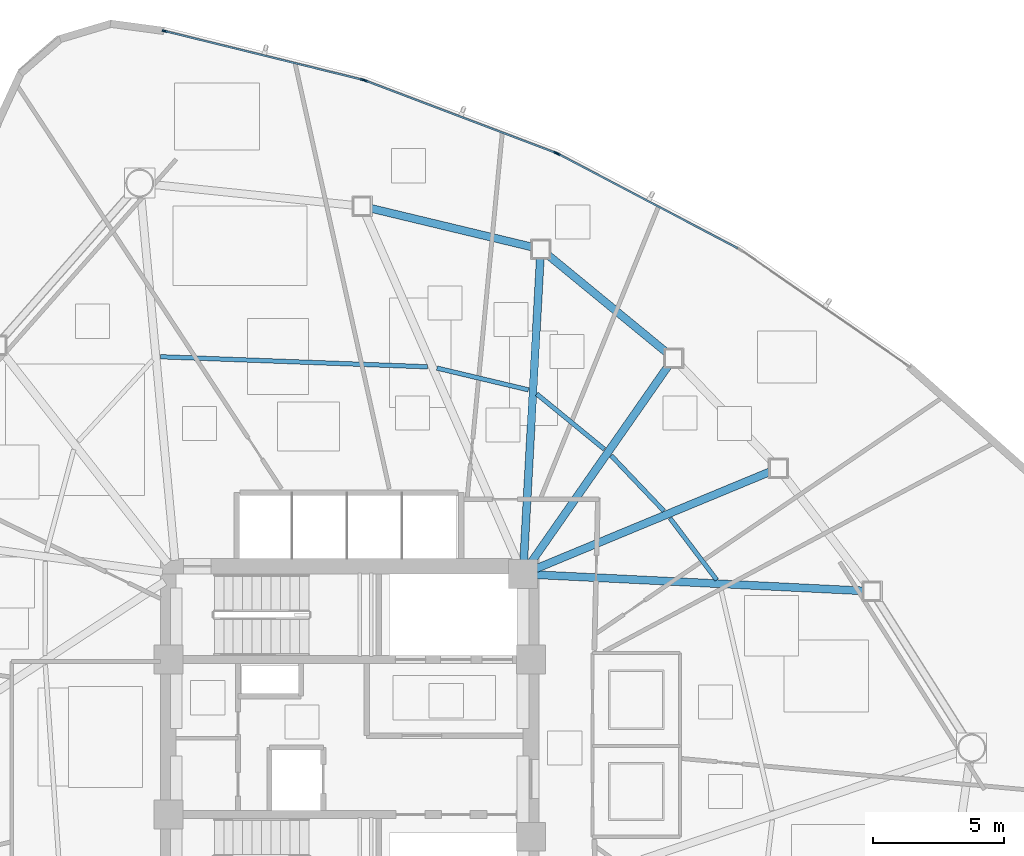
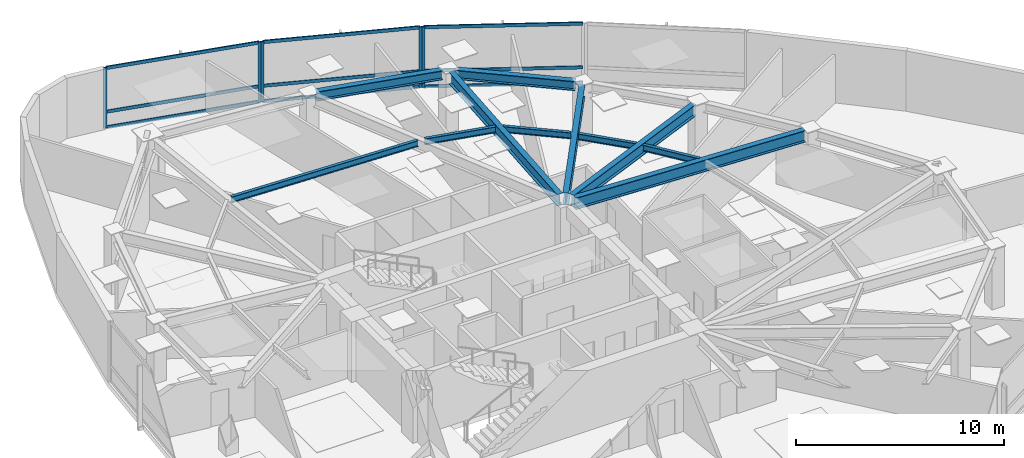
# One storey, part 8 of 17: 14 members, 11 beams, 3 elements without a shape of their own.
"""IFC4 building model written with IfcOpenShell, lengths in metres."""

import ifcopenshell
import ifcopenshell.guid

model = None  # the IFC model being written
_history = None  # IfcOwnerHistory: only IFC2X3 demands one
_inside = {}  # id of a spatial element -> (the spatial element, [elements in it])
_under = {}  # id of a project, library or spatial element -> (it, [spatial elements below it])
_declared = {}  # id of a project -> (the project, [libraries it declares])
_typed = {}  # id of a type object -> (the type object, [elements of that type])
_made_of = {}  # id of a material, layer set ... -> (it, [elements and type objects made of it])


def new_model(schema):
    """Start an empty IFC model of exactly this schema.

    Asked for "IFC4X3", IfcOpenShell would pick the latest addendum, in which some entities
    have other attributes; the version numbers below select the first issue.
    IFC2X3 requires an IfcOwnerHistory on every rooted entity: one is made here for all.
    """
    global model, _history
    if schema == "IFC4X3":
        model = ifcopenshell.file(schema_version=(4, 3, 0, 0))
    else:
        model = ifcopenshell.file(schema=schema)
    _inside.clear()
    _under.clear()
    _declared.clear()
    _typed.clear()
    _made_of.clear()
    _history = None
    if model.schema == "IFC2X3":
        org = make("IfcOrganization", Name="unknown")
        user = make(
            "IfcPersonAndOrganization",
            ThePerson=make("IfcPerson", FamilyName="unknown"),
            TheOrganization=org,
        )
        app = make(
            "IfcApplication",
            ApplicationDeveloper=org,
            Version="unknown",
            ApplicationFullName="unknown",
            ApplicationIdentifier="unknown",
        )
        _history = make(
            "IfcOwnerHistory",
            OwningUser=user,
            OwningApplication=app,
            ChangeAction="ADDED",
            CreationDate=0,
        )
    return model


def make(cls, **values):
    """One entity of the class cls with the attributes given. An attribute that is None is left unset."""
    return model.create_entity(
        cls, **{name: value for name, value in values.items() if value is not None}
    )


def rooted(cls, **values):
    """An entity with a GlobalId (a new one), such as an element, a storey or a relation."""
    return make(cls, GlobalId=ifcopenshell.guid.new(), OwnerHistory=_history, **values)


def si_unit(unit_type, name, prefix=None):
    """IfcSIUnit, for example si_unit("LENGTHUNIT", "METRE", prefix="MILLI")."""
    return make("IfcSIUnit", UnitType=unit_type, Prefix=prefix, Name=name)


def assignment(units):
    """IfcUnitAssignment: the units of a project."""
    return None if units is None else make("IfcUnitAssignment", Units=units)


def point(xyz):
    """IfcCartesianPoint."""
    return None if xyz is None else make("IfcCartesianPoint", Coordinates=xyz)


def direction(xyz):
    """IfcDirection."""
    return None if xyz is None else make("IfcDirection", DirectionRatios=xyz)


def frame(location, z_axis=None, x_axis=None):
    """IfcAxis2Placement3D, a coordinate frame: its origin and axes. An axis left out is left unset."""
    return make(
        "IfcAxis2Placement3D",
        Location=point(location),
        Axis=direction(z_axis),
        RefDirection=direction(x_axis),
    )


def frame_2d(location, x_axis=None):
    """IfcAxis2Placement2D, a coordinate frame in the plane: its origin and x axis."""
    return make(
        "IfcAxis2Placement2D", Location=point(location), RefDirection=direction(x_axis)
    )


def origin():
    """The frame at (0, 0, 0) with its axes left unset."""
    return frame((0.0, 0.0, 0.0))


def origin_2d():
    """The frame at (0, 0) in the plane with its x axis left unset."""
    return frame_2d((0.0, 0.0))


def place(relative_to, where):
    """IfcLocalPlacement: puts the frame where relative to a parent placement (None: the world)."""
    return make(
        "IfcLocalPlacement", PlacementRelTo=relative_to, RelativePlacement=where
    )


def context(
    kind, dimensions, precision=None, world=None, true_north=None, identifier=None
):
    """IfcGeometricRepresentationContext, for example the 3D "Model" context."""
    return make(
        "IfcGeometricRepresentationContext",
        ContextIdentifier=identifier,
        ContextType=kind,
        CoordinateSpaceDimension=dimensions,
        Precision=precision,
        WorldCoordinateSystem=world,
        TrueNorth=true_north,
    )


def subcontext(parent, identifier, kind, view, scale=None):
    """IfcGeometricRepresentationSubContext, for example "Body" below "Model"."""
    return make(
        "IfcGeometricRepresentationSubContext",
        ContextIdentifier=identifier,
        ContextType=kind,
        ParentContext=parent,
        TargetScale=scale,
        TargetView=view,
    )


def project(units=None, contexts=None):
    """IfcProject with its units and contexts."""
    return rooted(
        "IfcProject",
        Name="project",
        RepresentationContexts=contexts,
        UnitsInContext=assignment(units),
    )


def spatial(cls, under=None, at=None, **own):
    """A site, building, storey or space (cls), placed at a placement, below another one or the project."""
    s = rooted(cls, ObjectPlacement=at, **own)
    if under is not None:
        _under.setdefault(under.id(), (under, []))[1].append(s)
    return s


def profile(cls, at=None, kind="AREA", **sizes):
    """A parametric profile (cls). Its sizes go by their IFC names, for example OverallWidth=200.0."""
    return make(cls, ProfileType=kind, Position=at, **sizes)


def hollow_rectangle(**sizes):
    """IfcRectangleHollowProfileDef."""
    return profile("IfcRectangleHollowProfileDef", **sizes)


def i_section(**sizes):
    """IfcIShapeProfileDef."""
    return profile("IfcIShapeProfileDef", **sizes)


def extrude(swept, where, along, depth):
    """IfcExtrudedAreaSolid: the profile swept, set in the frame where, extruded along a direction by depth."""
    return make(
        "IfcExtrudedAreaSolid",
        SweptArea=swept,
        Position=where,
        ExtrudedDirection=direction(along),
        Depth=depth,
    )


def shape(context_of_items, identifier, shape_type, items):
    """IfcShapeRepresentation: the items that make up one representation, for example the "Body"."""
    return make(
        "IfcShapeRepresentation",
        ContextOfItems=context_of_items,
        RepresentationIdentifier=identifier,
        RepresentationType=shape_type,
        Items=items,
    )


def source(mapping_origin, context_of_items, identifier, shape_type, items):
    """IfcRepresentationMap: a shape defined once, which mapped items show again and again."""
    return make(
        "IfcRepresentationMap",
        MappingOrigin=mapping_origin,
        MappedRepresentation=shape(context_of_items, identifier, shape_type, items),
    )


def transform(
    local_origin,
    x_axis=None,
    y_axis=None,
    z_axis=None,
    scale=None,
    scale2=None,
    scale3=None,
    uniform=True,
):
    """IfcCartesianTransformationOperator3D, or its non-uniform kind. x_axis, y_axis, z_axis: its Axis1, 2, 3."""
    if uniform:
        return make(
            "IfcCartesianTransformationOperator3D",
            Axis1=direction(x_axis),
            Axis2=direction(y_axis),
            LocalOrigin=point(local_origin),
            Scale=scale,
            Axis3=direction(z_axis),
        )
    return make(
        "IfcCartesianTransformationOperator3DnonUniform",
        Axis1=direction(x_axis),
        Axis2=direction(y_axis),
        LocalOrigin=point(local_origin),
        Scale=scale,
        Axis3=direction(z_axis),
        Scale2=scale2,
        Scale3=scale3,
    )


def mapped(mapping_source, mapping_target):
    """IfcMappedItem: shows the shape of a source again, moved by a transform."""
    return make(
        "IfcMappedItem", MappingSource=mapping_source, MappingTarget=mapping_target
    )


def material(Name=None, Category=None):
    """IfcMaterial."""
    return make("IfcMaterial", Name=Name, Category=Category)


def layer(
    of_material, thickness, ventilated=None, Name=None, Category=None, Priority=None
):
    """IfcMaterialLayer: one layer of a wall or slab, of a material (None: an air gap)."""
    return make(
        "IfcMaterialLayer",
        Material=of_material,
        LayerThickness=thickness,
        IsVentilated=ventilated,
        Name=Name,
        Category=Category,
        Priority=Priority,
    )


def layer_set(layers, Name=None):
    """IfcMaterialLayerSet."""
    return make("IfcMaterialLayerSet", MaterialLayers=layers, LayerSetName=Name)


def material_profile(
    of_material, cross_section, Name=None, Category=None, Priority=None
):
    """IfcMaterialProfile: a cross section and its material."""
    return make(
        "IfcMaterialProfile",
        Name=Name,
        Material=of_material,
        Profile=cross_section,
        Priority=Priority,
        Category=Category,
    )


def profile_set(profiles, Name=None, composite=None):
    """IfcMaterialProfileSet."""
    return make(
        "IfcMaterialProfileSet",
        Name=Name,
        MaterialProfiles=profiles,
        CompositeProfile=composite,
    )


def made_of(thing, what):
    """Note that an element or type object is made of a material, layer set ...; save() writes the relation."""
    if what is not None:
        _made_of.setdefault(what.id(), (what, []))[1].append(thing)
    return thing


def type_object(cls, material=None, **own):
    """A type object (cls), such as IfcWallType, which elements share."""
    return made_of(rooted(cls, **own), material)


def type_shapes(of_type, sources):
    """Give a type object the sources (RepresentationMaps) that its elements show as mapped items."""
    of_type.RepresentationMaps = sources


def element(
    cls,
    number,
    at=None,
    inside=None,
    cuts=None,
    type_object=None,
    material=None,
    context=None,
    identifier="Body",
    shape_type=None,
    held_by="IfcProductDefinitionShape",
    body=None,
    shapes=None,
    **own,
):
    """One element of the class cls, such as IfcWall. Its Tag is "e" and its number.

    at: its placement. inside: the storey or other place that contains it. cuts: it is an
    opening in that element (IfcRelVoidsElement). A single representation is given by context,
    identifier, shape_type and body (its items); several are given by shapes. held_by: the class
    of the entity that holds the representations. save() writes the other relations.
    """
    e = rooted(cls, Tag="e%d" % number, ObjectPlacement=at, **own)
    if body is not None:
        shapes = [shape(context, identifier, shape_type, body)]
    if shapes is not None:
        e.Representation = make(held_by, Representations=shapes)
    if inside is not None:
        _inside.setdefault(inside.id(), (inside, []))[1].append(e)
    if cuts is not None:
        rooted(
            "IfcRelVoidsElement", RelatingBuildingElement=cuts, RelatedOpeningElement=e
        )
    if type_object is not None:
        _typed.setdefault(type_object.id(), (type_object, []))[1].append(e)
    return made_of(e, material)


def aggregate(whole, parts):
    """IfcRelAggregates: a whole, such as a stair, and the parts it consists of."""
    return rooted("IfcRelAggregates", RelatingObject=whole, RelatedObjects=parts)


def save(model, path):
    """Write the relations noted so far, then the file.

    IfcRelAggregates (storeys below a building ...), IfcRelContainedInSpatialStructure (elements
    in a storey), IfcRelDefinesByType, IfcRelAssociatesMaterial and IfcRelDeclares: one each for
    every whole, place, type object, material and project.
    """
    for whole, parts in _under.values():
        aggregate(whole, parts)
    for where, things in _inside.values():
        rooted(
            "IfcRelContainedInSpatialStructure",
            RelatedElements=things,
            RelatingStructure=where,
        )
    for kind, things in _typed.values():
        rooted("IfcRelDefinesByType", RelatedObjects=things, RelatingType=kind)
    for what, things in _made_of.values():
        rooted("IfcRelAssociatesMaterial", RelatedObjects=things, RelatingMaterial=what)
    for by, libraries in _declared.values():
        rooted("IfcRelDeclares", RelatingContext=by, RelatedDefinitions=libraries)
    model.write(path)


model = new_model("IFC4")

# Units and contexts
model_context = context("Model", 3, precision=1e-05, world=origin(), true_north=direction((0.0, 1.0)))
body_context = subcontext(model_context, "Body", "Model", "MODEL_VIEW")
ifc_project = project(units=[si_unit("LENGTHUNIT", "METRE"), si_unit("AREAUNIT", "SQUARE_METRE"), si_unit("VOLUMEUNIT", "CUBIC_METRE"), si_unit("PLANEANGLEUNIT", "RADIAN"), si_unit("MASSUNIT", "GRAM", prefix="KILO")], contexts=[model_context])

# Site, building, storey
site_placement = place(None, origin())
site = spatial("IfcSite", under=ifc_project, at=site_placement, CompositionType="ELEMENT")
building_placement = place(site_placement, origin())
building = spatial("IfcBuilding", under=site, at=building_placement, Name="Tavelor Broadcast Tower", CompositionType="ELEMENT")
storey_placement = place(building_placement, frame((0.0, 0.0, 154.10009765625)))
storey = spatial("IfcBuildingStorey", under=building, at=storey_placement, Name="L36", CompositionType="ELEMENT", Elevation=154.10009765625)

# Beams
ifc_material_1 = material(Name="Steel S355", Category="steel")
ifc_material_profile_1 = material_profile(ifc_material_1, i_section(OverallWidth=0.169921875, OverallDepth=0.360107421875, WebThickness=0.008056640625, FlangeThickness=0.0126953125, at=origin_2d()), Name="IPE 360")
ifc_profile_set_1 = profile_set([ifc_material_profile_1], Name="Steel S355")
beam_type_1 = type_object("IfcBeamType", Name="Composite Floor Joist T3 IPE 360", PredefinedType="JOIST", material=ifc_profile_set_1)
beam_1_placement = place(storey_placement, frame((63.97509765625, 50.974853515625, 3.369873046875), z_axis=(-0.603343158319, 0.797481682116, 0.0), x_axis=(-0.797481682116, -0.603343158319, 0.0)))
element("IfcBeam", 1, at=beam_1_placement, inside=storey, type_object=beam_type_1, Name="L36 Secondary Composite Floor Joist 14", PredefinedType="JOIST", context=body_context, shape_type="SweptSolid", body=[
    extrude(i_section(OverallWidth=0.169921875, OverallDepth=0.360107421875, WebThickness=0.008056640625, FlangeThickness=0.0126953125, at=origin_2d()), origin(), (0.0, 0.0, 1.0), 2.951416015625),
])
beam_2_placement = place(storey_placement, frame((61.960205078125, 53.60400390625, 3.369873046875), z_axis=(-0.689436692526, 0.724345944283, 0.0), x_axis=(-0.724345944283, -0.689436692526, 0.0)))
element("IfcBeam", 2, at=beam_2_placement, inside=storey, type_object=beam_type_1, Name="L36 Secondary Composite Floor Joist 15", PredefinedType="JOIST", context=body_context, shape_type="SweptSolid", body=[
    extrude(i_section(OverallWidth=0.169921875, OverallDepth=0.360107421875, WebThickness=0.008056640625, FlangeThickness=0.0126953125, at=origin_2d()), origin(), (0.0, 0.0, 1.0), 2.90234375),
])
beam_3_placement = place(storey_placement, frame((59.6943359375, 55.951904296875, 3.369873046875), z_axis=(-0.774130723206, 0.633025768345, 0.0), x_axis=(-0.633025768345, -0.774130723206, 0.0)))
element("IfcBeam", 3, at=beam_3_placement, inside=storey, type_object=beam_type_1, Name="L36 Secondary Composite Floor Joist 16", PredefinedType="JOIST", context=body_context, shape_type="SweptSolid", body=[
    extrude(i_section(OverallWidth=0.169921875, OverallDepth=0.360107421875, WebThickness=0.008056640625, FlangeThickness=0.0126953125, at=origin_2d()), origin(), (0.0, 0.0, 1.0), 3.32373046875),
])
beam_4_placement = place(storey_placement, frame((56.80517578125, 58.21240234375, 3.369873046875), z_axis=(-0.972854549724, 0.231417426056, 0.0), x_axis=(-0.231417426056, -0.972854549724, 0.0)))
element("IfcBeam", 4, at=beam_4_placement, inside=storey, type_object=beam_type_1, Name="L36 Secondary Composite Floor Joist 17", PredefinedType="JOIST", context=body_context, shape_type="SweptSolid", body=[
    extrude(i_section(OverallWidth=0.169921875, OverallDepth=0.360107421875, WebThickness=0.008056640625, FlangeThickness=0.0126953125, at=origin_2d()), origin(), (0.0, 0.0, 1.0), 3.575439453125),
])
beam_5_placement = place(storey_placement, frame((52.969970703125, 59.08837890625, 3.369873046875), z_axis=(-0.999289376722, 0.037692725691, 0.0), x_axis=(-0.037692725691, -0.999289376722, 0.0)))
element("IfcBeam", 5, at=beam_5_placement, inside=storey, type_object=beam_type_1, Name="L36 Secondary Composite Floor Joist 18", PredefinedType="JOIST", context=body_context, shape_type="SweptSolid", body=[
    extrude(i_section(OverallWidth=0.169921875, OverallDepth=0.360107421875, WebThickness=0.008056640625, FlangeThickness=0.0126953125, at=origin_2d()), origin(), (0.0, 0.0, 1.0), 10.169189453125),
])
ifc_material_profile_2 = material_profile(ifc_material_1, i_section(OverallWidth=0.300048828125, OverallDepth=0.550048828125, WebThickness=0.014892578125, FlangeThickness=0.029052734375, at=origin_2d()), Name="HEB 550")
ifc_profile_set_2 = profile_set([ifc_material_profile_2], Name="Steel S355")
beam_type_2 = type_object("IfcBeamType", Name="Perimeter Spandrel Beam T3 HEB 550", PredefinedType="SPANDREL", material=ifc_profile_set_2)
beam_6_placement = place(storey_placement, frame((62.0712890625, 59.62939453125, 3.27490234375), z_axis=(-0.772702936962, 0.634767808896, 0.0), x_axis=(-0.634767808896, -0.772702936962, 0.0)))
element("IfcBeam", 6, at=beam_6_placement, inside=storey, type_object=beam_type_2, Name="L36 Framed-Tube Ring Spandrel 16", PredefinedType="SPANDREL", context=body_context, shape_type="SweptSolid", body=[
    extrude(i_section(OverallWidth=0.300048828125, OverallDepth=0.550048828125, WebThickness=0.014892578125, FlangeThickness=0.029052734375, at=origin_2d()), origin(), (0.0, 0.0, 1.0), 5.869140625),
])
beam_7_placement = place(storey_placement, frame((56.949951171875, 63.64697265625, 3.27490234375), z_axis=(-0.972363823797, 0.233470756565, 0.0), x_axis=(-0.233470756565, -0.972363823797, 0.0)))
element("IfcBeam", 7, at=beam_7_placement, inside=storey, type_object=beam_type_2, Name="L36 Framed-Tube Ring Spandrel 17", PredefinedType="SPANDREL", context=body_context, shape_type="SweptSolid", body=[
    extrude(i_section(OverallWidth=0.300048828125, OverallDepth=0.550048828125, WebThickness=0.014892578125, FlangeThickness=0.029052734375, at=origin_2d()), origin(), (0.0, 0.0, 1.0), 6.325439453125),
])
ifc_material_profile_3 = material_profile(ifc_material_1, i_section(OverallWidth=0.300048828125, OverallDepth=0.68994140625, WebThickness=0.014404296875, FlangeThickness=0.027099609375, at=origin_2d()), Name="HEA 700")
ifc_profile_set_3 = profile_set([ifc_material_profile_3], Name="Steel S355")
beam_type_3 = type_object("IfcBeamType", Name="Radial Floor Girder T3 HEA 700", PredefinedType="BEAM", material=ifc_profile_set_3)
beam_8_placement = place(storey_placement, frame((57.12744140625, 51.174072265625, 3.204833984375), z_axis=(0.998783710906, -0.04930617435, 0.0), x_axis=(0.04930617435, 0.998783710906, 0.0)))
element("IfcBeam", 8, at=beam_8_placement, inside=storey, type_object=beam_type_3, Name="L36 Radial Primary Floor Girder 14", PredefinedType="BEAM", context=body_context, shape_type="SweptSolid", body=[
    extrude(i_section(OverallWidth=0.300048828125, OverallDepth=0.68994140625, WebThickness=0.014404296875, FlangeThickness=0.027099609375, at=origin_2d()), origin(), (0.0, 0.0, 1.0), 12.438232421875),
])
beam_9_placement = place(storey_placement, frame((57.087890625, 51.402099609375, 3.204833984375), z_axis=(0.92381625254, 0.382836168018, 0.0), x_axis=(-0.382836168018, 0.92381625254, 0.0)))
element("IfcBeam", 9, at=beam_9_placement, inside=storey, type_object=beam_type_3, Name="L36 Radial Primary Floor Girder 15", PredefinedType="BEAM", context=body_context, shape_type="SweptSolid", body=[
    extrude(i_section(OverallWidth=0.300048828125, OverallDepth=0.68994140625, WebThickness=0.014404296875, FlangeThickness=0.027099609375, at=origin_2d()), origin(), (0.0, 0.0, 1.0), 9.659423828125),
])
beam_10_placement = place(storey_placement, frame((56.902099609375, 51.633056640625, 3.204833984375), z_axis=(0.572088555537, 0.820191858423, 0.0), x_axis=(-0.820191858423, 0.572088555537, 0.0)))
element("IfcBeam", 10, at=beam_10_placement, inside=storey, type_object=beam_type_3, Name="L36 Radial Primary Floor Girder 16", PredefinedType="BEAM", context=body_context, shape_type="SweptSolid", body=[
    extrude(i_section(OverallWidth=0.300048828125, OverallDepth=0.68994140625, WebThickness=0.014404296875, FlangeThickness=0.027099609375, at=origin_2d()), origin(), (0.0, 0.0, 1.0), 9.1533203125),
])
beam_11_placement = place(storey_placement, frame((56.62890625, 51.727294921875, 3.204833984375), z_axis=(0.054621583664, 0.998507126964, 0.0), x_axis=(-0.998507126964, 0.054621583664, 0.0)))
element("IfcBeam", 11, at=beam_11_placement, inside=storey, type_object=beam_type_3, Name="L36 Radial Primary Floor Girder 17", PredefinedType="BEAM", context=body_context, shape_type="SweptSolid", body=[
    extrude(i_section(OverallWidth=0.300048828125, OverallDepth=0.68994140625, WebThickness=0.014404296875, FlangeThickness=0.027099609375, at=origin_2d()), origin(), (0.0, 0.0, 1.0), 11.522705078125),
])

# Curtain wall, member
ifc_material_2 = material(Name="Architectural Anodized Aluminium", Category="aluminium")
ifc_layer = layer(ifc_material_2, 0.18994140625)
ifc_layer_set = layer_set([ifc_layer], Name="Architectural Anodized Aluminium")
curtain_wall_type = type_object("IfcCurtainWallType", Name="Tower Mid-Zone Acoustic Curtain Wall CW03", PredefinedType="NOTDEFINED", material=ifc_layer_set)
curtain_wall_1_placement = place(storey_placement, origin())
curtain_wall_1 = element("IfcCurtainWall", 12, at=curtain_wall_1_placement, inside=storey, type_object=curtain_wall_type, Name="L36 Curtain Wall CW03 Run 382", PredefinedType="NOTDEFINED")
ifc_material_profile_4 = material_profile(ifc_material_2, hollow_rectangle(XDim=0.068115234375, YDim=0.18994140625, WallThickness=0.02197265625, at=origin_2d()), Name="RHS 68x190x22")
ifc_profile_set_4 = profile_set([ifc_material_profile_4], Name="Architectural Anodized Aluminium")
member_type_1 = type_object("IfcMemberType", Name="CW03 Extruded Aluminium Mullion 68x190", PredefinedType="MULLION", material=ifc_profile_set_4)
shared_shape_1 = source(origin(), body_context, "Body", "SweptSolid", [
    extrude(hollow_rectangle(XDim=0.068115234375, YDim=0.18994140625, WallThickness=0.02197265625, at=origin_2d()), origin(), (0.0, 0.0, 1.0), 3.5498046875),
])
type_shapes(member_type_1, [shared_shape_1])
member_1_placement = place(storey_placement, frame((57.935546875, 67.19287109375, 0.0), z_axis=(0.0, 0.0, 1.0), x_axis=(-0.465220986067, -0.88519457416, 0.0)))
member_1 = element("IfcMember", 13, at=member_1_placement, type_object=member_type_1, Name="CW03 mullion 2", PredefinedType="MULLION", context=body_context, shape_type="MappedRepresentation", body=[
    mapped(shared_shape_1, transform((0.0, 0.0, 0.0), scale=1.0)),
])

# Curtain wall, members
curtain_wall_2_placement = place(storey_placement, origin())
curtain_wall_2 = element("IfcCurtainWall", 14, at=curtain_wall_2_placement, inside=storey, type_object=curtain_wall_type, Name="L36 Curtain Wall CW03 Run 383", PredefinedType="NOTDEFINED")
member_2_placement = place(storey_placement, frame((57.846435546875, 67.233154296875, 0.0), z_axis=(0.0, 0.0, 1.0), x_axis=(-0.35469932739, -0.93498042073, 0.0)))
member_2 = element("IfcMember", 15, at=member_2_placement, type_object=member_type_1, Name="CW03 mullion 1", PredefinedType="MULLION", context=body_context, shape_type="MappedRepresentation", body=[
    mapped(shared_shape_1, transform((0.0, 0.0, 0.0), scale=1.0)),
])
member_3_placement = place(storey_placement, frame((50.596923828125, 69.983154296875, 0.0), z_axis=(0.0, 0.0, 1.0), x_axis=(-0.35469932739, -0.93498042073, 0.0)))
member_3 = element("IfcMember", 16, at=member_3_placement, type_object=member_type_1, Name="CW03 mullion 2", PredefinedType="MULLION", context=body_context, shape_type="MappedRepresentation", body=[
    mapped(shared_shape_1, transform((0.0, 0.0, 0.0), scale=1.0)),
])

curtain_wall_3_placement = place(storey_placement, origin())
curtain_wall_3 = element("IfcCurtainWall", 17, at=curtain_wall_3_placement, inside=storey, type_object=curtain_wall_type, Name="L36 Curtain Wall CW03 Run 384", PredefinedType="NOTDEFINED")
member_4_placement = place(storey_placement, frame((50.503662109375, 70.01220703125, 0.0), z_axis=(0.0, 0.0, 1.0), x_axis=(-0.238931316824, -0.971036469882, 0.0)))
member_4 = element("IfcMember", 18, at=member_4_placement, type_object=member_type_1, Name="CW03 mullion 1", PredefinedType="MULLION", context=body_context, shape_type="MappedRepresentation", body=[
    mapped(shared_shape_1, transform((0.0, 0.0, 0.0), scale=1.0)),
])
member_5_placement = place(storey_placement, frame((42.959228515625, 71.86865234375, 0.0), z_axis=(0.0, 0.0, 1.0), x_axis=(-0.238931316824, -0.971036469882, 0.0)))
member_5 = element("IfcMember", 19, at=member_5_placement, type_object=member_type_1, Name="CW03 mullion 2", PredefinedType="MULLION", context=body_context, shape_type="MappedRepresentation", body=[
    mapped(shared_shape_1, transform((0.0, 0.0, 0.0), scale=1.0)),
])

# Member
ifc_material_profile_5 = material_profile(ifc_material_2, hollow_rectangle(XDim=0.068115234375, YDim=0.18994140625, WallThickness=0.02197265625, at=origin_2d()), Name="RHS 68x190x22")
ifc_profile_set_5 = profile_set([ifc_material_profile_5], Name="Architectural Anodized Aluminium")
member_type_2 = type_object("IfcMemberType", Name="CW03 Extruded Aluminium Transom 68x190", PredefinedType="USERDEFINED", material=ifc_profile_set_5)
shared_shape_2 = source(origin(), body_context, "Body", "SweptSolid", [
    extrude(hollow_rectangle(XDim=0.068115234375, YDim=0.18994140625, WallThickness=0.02197265625, at=origin_2d()), origin(), (0.0, 0.0, 1.0), 7.685546875),
])
member_6_placement = place(storey_placement, frame((64.768798828125, 63.6015625, 0.033935546875), z_axis=(-0.88519713758, 0.465216108514, 0.0), x_axis=(-0.465216108514, -0.88519713758, 0.0)))
member_6 = element("IfcMember", 20, at=member_6_placement, type_object=member_type_2, Name="CW03 transom 1.1", ObjectType="TRANSOM", PredefinedType="USERDEFINED", context=body_context, shape_type="MappedRepresentation", body=[
    mapped(shared_shape_2, transform((0.0, 0.0, 0.0), scale=1.0)),
])

member_7_placement = place(storey_placement, frame((64.768798828125, 63.6015625, 0.949951171875), z_axis=(-0.88519713758, 0.465216108514, 0.0), x_axis=(-0.465216108514, -0.88519713758, 0.0)))
member_7 = element("IfcMember", 21, at=member_7_placement, type_object=member_type_2, Name="CW03 transom 1.2", ObjectType="TRANSOM", PredefinedType="USERDEFINED", context=body_context, shape_type="MappedRepresentation", body=[
    mapped(shared_shape_2, transform((0.0, 0.0, 0.0), scale=1.0)),
])

member_8_placement = place(storey_placement, frame((64.768798828125, 63.6015625, 3.515869140625), z_axis=(-0.88519713758, 0.465216108514, 0.0), x_axis=(-0.465216108514, -0.88519713758, 0.0)))
member_8 = element("IfcMember", 22, at=member_8_placement, type_object=member_type_2, Name="CW03 transom 1.3", ObjectType="TRANSOM", PredefinedType="USERDEFINED", context=body_context, shape_type="MappedRepresentation", body=[
    mapped(shared_shape_2, transform((0.0, 0.0, 0.0), scale=1.0)),
])

aggregate(curtain_wall_1, [member_1, member_6, member_7, member_8])

shared_shape_3 = source(origin(), body_context, "Body", "SweptSolid", [
    extrude(hollow_rectangle(XDim=0.068115234375, YDim=0.18994140625, WallThickness=0.02197265625, at=origin_2d()), origin(), (0.0, 0.0, 1.0), 7.701416015625),
])
member_9_placement = place(storey_placement, frame((50.470458984375, 70.0205078125, 0.033935546875), z_axis=(-0.971036494818, 0.238931215482, 0.0), x_axis=(-0.238931215482, -0.971036494818, 0.0)))
member_9 = element("IfcMember", 23, at=member_9_placement, type_object=member_type_2, Name="CW03 transom 1.1", ObjectType="TRANSOM", PredefinedType="USERDEFINED", context=body_context, shape_type="MappedRepresentation", body=[
    mapped(shared_shape_3, transform((0.0, 0.0, 0.0), scale=1.0)),
])

member_10_placement = place(storey_placement, frame((50.470458984375, 70.0205078125, 0.949951171875), z_axis=(-0.971036494818, 0.238931215482, 0.0), x_axis=(-0.238931215482, -0.971036494818, 0.0)))
member_10 = element("IfcMember", 24, at=member_10_placement, type_object=member_type_2, Name="CW03 transom 1.2", ObjectType="TRANSOM", PredefinedType="USERDEFINED", context=body_context, shape_type="MappedRepresentation", body=[
    mapped(shared_shape_3, transform((0.0, 0.0, 0.0), scale=1.0)),
])

member_11_placement = place(storey_placement, frame((50.470458984375, 70.0205078125, 3.515869140625), z_axis=(-0.971036494818, 0.238931215482, 0.0), x_axis=(-0.238931215482, -0.971036494818, 0.0)))
member_11 = element("IfcMember", 25, at=member_11_placement, type_object=member_type_2, Name="CW03 transom 1.3", ObjectType="TRANSOM", PredefinedType="USERDEFINED", context=body_context, shape_type="MappedRepresentation", body=[
    mapped(shared_shape_3, transform((0.0, 0.0, 0.0), scale=1.0)),
])

aggregate(curtain_wall_3, [member_4, member_5, member_9, member_10, member_11])

shared_shape_4 = source(origin(), body_context, "Body", "SweptSolid", [
    extrude(hollow_rectangle(XDim=0.068115234375, YDim=0.18994140625, WallThickness=0.02197265625, at=origin_2d()), origin(), (0.0, 0.0, 1.0), 7.685791015625),
])
type_shapes(member_type_2, [shared_shape_2, shared_shape_3, shared_shape_4])
member_12_placement = place(storey_placement, frame((57.814697265625, 67.2451171875, 0.033935546875), z_axis=(-0.934982996657, 0.354692537225, 0.0), x_axis=(-0.354692537225, -0.934982996657, 0.0)))
member_12 = element("IfcMember", 26, at=member_12_placement, type_object=member_type_2, Name="CW03 transom 1.1", ObjectType="TRANSOM", PredefinedType="USERDEFINED", context=body_context, shape_type="MappedRepresentation", body=[
    mapped(shared_shape_4, transform((0.0, 0.0, 0.0), scale=1.0)),
])

member_13_placement = place(storey_placement, frame((57.814697265625, 67.2451171875, 0.949951171875), z_axis=(-0.934982996657, 0.354692537225, 0.0), x_axis=(-0.354692537225, -0.934982996657, 0.0)))
member_13 = element("IfcMember", 27, at=member_13_placement, type_object=member_type_2, Name="CW03 transom 1.2", ObjectType="TRANSOM", PredefinedType="USERDEFINED", context=body_context, shape_type="MappedRepresentation", body=[
    mapped(shared_shape_4, transform((0.0, 0.0, 0.0), scale=1.0)),
])

member_14_placement = place(storey_placement, frame((57.814697265625, 67.2451171875, 3.515869140625), z_axis=(-0.934982996657, 0.354692537225, 0.0), x_axis=(-0.354692537225, -0.934982996657, 0.0)))
member_14 = element("IfcMember", 28, at=member_14_placement, type_object=member_type_2, Name="CW03 transom 1.3", ObjectType="TRANSOM", PredefinedType="USERDEFINED", context=body_context, shape_type="MappedRepresentation", body=[
    mapped(shared_shape_4, transform((0.0, 0.0, 0.0), scale=1.0)),
])

aggregate(curtain_wall_2, [member_2, member_3, member_12, member_13, member_14])

save(model, "model.ifc")
